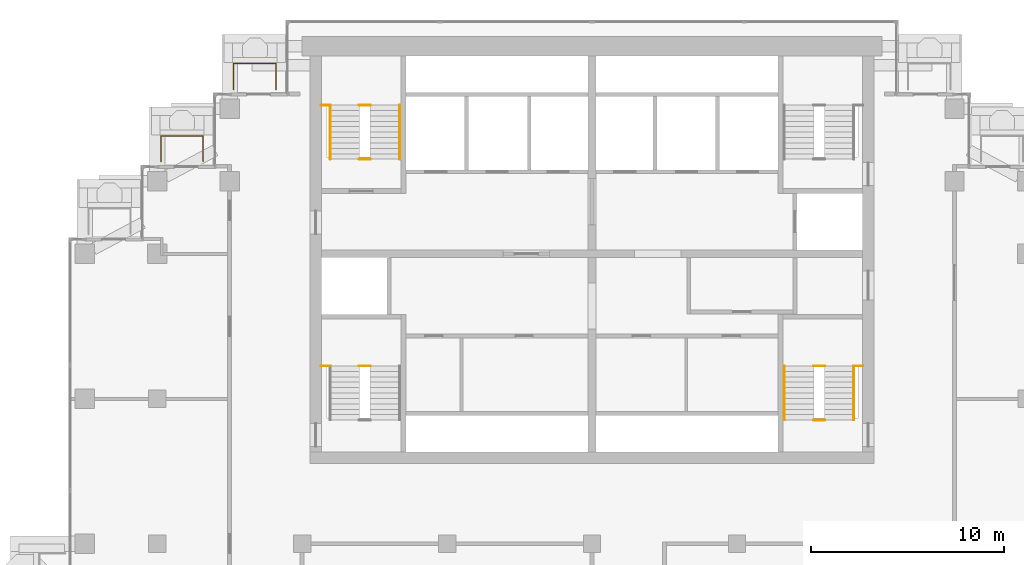
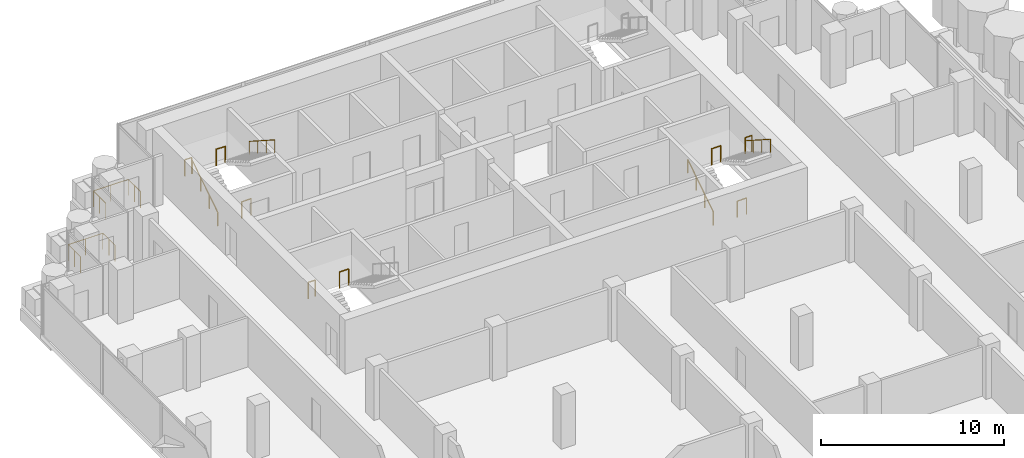
# One storey, part 16 of 18: 14 railings.
"""IFC4 building model written with IfcOpenShell, lengths in metres."""

from ifc_helpers import new_model, si_unit, direction, frame, origin, origin_2d, place, context, subcontext, project, spatial, circle, extrude, material, type_object, element, save


model = new_model("IFC4")

# Units and contexts
model_context = context("Model", 3, precision=1e-05, world=origin(), true_north=direction((0.0, 1.0)))
body_context = subcontext(model_context, "Body", "Model", "MODEL_VIEW")
ifc_project = project(units=[si_unit("LENGTHUNIT", "METRE"), si_unit("AREAUNIT", "SQUARE_METRE"), si_unit("VOLUMEUNIT", "CUBIC_METRE"), si_unit("PLANEANGLEUNIT", "RADIAN"), si_unit("MASSUNIT", "GRAM", prefix="KILO")], contexts=[model_context])

# Site, building, storey
site_placement = place(None, origin())
site = spatial("IfcSite", under=ifc_project, at=site_placement, CompositionType="ELEMENT")
building_placement = place(site_placement, origin())
building = spatial("IfcBuilding", under=site, at=building_placement, Name="Pilkhan Gate Tower", CompositionType="ELEMENT")
storey_placement = place(building_placement, frame((0.0, 0.0, 210.300048828125)))
storey = spatial("IfcBuildingStorey", under=building, at=storey_placement, Name="L54", CompositionType="ELEMENT", Elevation=210.300048828125)

# Railings
ifc_material_1 = material(Name="Pale anodised aluminium posts, laminated glass infill", Category="aluminium")
railing_type_1 = type_object("IfcRailingType", Name="Balcony guard G1", PredefinedType="BALUSTRADE", material=ifc_material_1)
railing_1_placement = place(storey_placement, frame((56.449951171875, 91.0, 0.0)))
element("IfcRailing", 1, at=railing_1_placement, inside=storey, type_object=railing_type_1, Name="Balcony guard L54 N", PredefinedType="BALUSTRADE", context=body_context, shape_type="SweptSolid", body=[
    extrude(circle(Radius=0.02392578125, at=origin_2d()), frame((0.0, 0.0, 1.076171875), z_axis=(0.0, 1.0, 0.0), x_axis=(-1.0, 0.0, 0.0)), (0.0, 0.0, 1.0), 1.35009765625),
    extrude(circle(Radius=0.02392578125, at=origin_2d()), frame((0.0, 1.35009765625, 1.076171875), z_axis=(1.0, 0.0, 0.0), x_axis=(0.0, 1.0, 0.0)), (0.0, 0.0, 1.0), 2.199951171875),
    extrude(circle(Radius=0.02392578125, at=origin_2d()), frame((2.199951171875, 1.35009765625, 1.076171875), z_axis=(0.0, -1.0, 0.0), x_axis=(1.0, 0.0, 0.0)), (0.0, 0.0, 1.0), 1.35009765625),
    extrude(circle(Radius=0.02099609375, at=origin_2d()), origin(), (0.0, 0.0, 1.0), 1.052001953125),
    extrude(circle(Radius=0.02099609375, at=origin_2d()), frame((0.0, 0.675048828125, 0.0)), (0.0, 0.0, 1.0), 1.052001953125),
    extrude(circle(Radius=0.02099609375, at=origin_2d()), frame((0.0, 1.35009765625, 0.0)), (0.0, 0.0, 1.0), 1.052001953125),
    extrude(circle(Radius=0.02099609375, at=origin_2d()), frame((1.10009765625, 1.35009765625, 0.0)), (0.0, 0.0, 1.0), 1.052001953125),
    extrude(circle(Radius=0.02099609375, at=origin_2d()), frame((2.199951171875, 1.35009765625, 0.0)), (0.0, 0.0, 1.0), 1.052001953125),
    extrude(circle(Radius=0.02099609375, at=origin_2d()), frame((2.199951171875, 0.675048828125, 0.0)), (0.0, 0.0, 1.0), 1.052001953125),
    extrude(circle(Radius=0.02099609375, at=origin_2d()), frame((2.199951171875, 0.0, 0.0)), (0.0, 0.0, 1.0), 1.052001953125),
])
railing_2_placement = place(storey_placement, frame((52.699951171875, 87.27001953125, 0.0)))
element("IfcRailing", 2, at=railing_2_placement, inside=storey, type_object=railing_type_1, Name="Balcony guard L54 N", PredefinedType="BALUSTRADE", context=body_context, shape_type="SweptSolid", body=[
    extrude(circle(Radius=0.02392578125, at=origin_2d()), frame((0.0, 0.0, 1.076171875), z_axis=(0.0, 1.0, 0.0), x_axis=(-1.0, 0.0, 0.0)), (0.0, 0.0, 1.0), 1.330078125),
    extrude(circle(Radius=0.02392578125, at=origin_2d()), frame((0.0, 1.330078125, 1.076171875), z_axis=(1.0, 0.0, 0.0), x_axis=(0.0, 1.0, 0.0)), (0.0, 0.0, 1.0), 2.179931640625),
    extrude(circle(Radius=0.02392578125, at=origin_2d()), frame((2.179931640625, 1.330078125, 1.076171875), z_axis=(0.0, -1.0, 0.0), x_axis=(1.0, 0.0, 0.0)), (0.0, 0.0, 1.0), 1.330078125),
    extrude(circle(Radius=0.02099609375, at=origin_2d()), origin(), (0.0, 0.0, 1.0), 1.052001953125),
    extrude(circle(Radius=0.02099609375, at=origin_2d()), frame((0.0, 0.6650390625, 0.0)), (0.0, 0.0, 1.0), 1.052001953125),
    extrude(circle(Radius=0.02099609375, at=origin_2d()), frame((0.0, 1.330078125, 0.0)), (0.0, 0.0, 1.0), 1.052001953125),
    extrude(circle(Radius=0.02099609375, at=origin_2d()), frame((1.08984375, 1.330078125, 0.0)), (0.0, 0.0, 1.0), 1.052001953125),
    extrude(circle(Radius=0.02099609375, at=origin_2d()), frame((2.179931640625, 1.330078125, 0.0)), (0.0, 0.0, 1.0), 1.052001953125),
    extrude(circle(Radius=0.02099609375, at=origin_2d()), frame((2.179931640625, 0.6650390625, 0.0)), (0.0, 0.0, 1.0), 1.052001953125),
    extrude(circle(Radius=0.02099609375, at=origin_2d()), frame((2.179931640625, 0.0, 0.0)), (0.0, 0.0, 1.0), 1.052001953125),
])
ifc_material_2 = material(Name="Black powder-coated steel tube", Category="steel")
railing_type_2 = type_object("IfcRailingType", Name="Stair handrail HR1", PredefinedType="HANDRAIL", material=ifc_material_2)
railing_3_placement = place(storey_placement, frame((84.949951171875, 73.89990234375, 0.0)))
element("IfcRailing", 3, at=railing_3_placement, inside=storey, type_object=railing_type_2, Name="Stair ST1 handrail L54", PredefinedType="HANDRAIL", context=body_context, shape_type="SweptSolid", body=[
    extrude(circle(Radius=0.02392578125, at=origin_2d()), frame((0.0, 0.0, 0.8759765625), z_axis=(0.0, 0.841176092368, 0.540761298198), x_axis=(-1.0, 0.0, 0.0)), (0.0, 0.0, 1.0), 3.32861328125),
    extrude(circle(Radius=0.02099609375, at=origin_2d()), origin(), (0.0, 0.0, 1.0), 0.851806640625),
    extrude(circle(Radius=0.02099609375, at=origin_2d()), frame((0.0, 0.933349609375, 0.60009765625)), (0.0, 0.0, 1.0), 0.851806640625),
    extrude(circle(Radius=0.02099609375, at=origin_2d()), frame((0.0, 1.86669921875, 1.199951171875)), (0.0, 0.0, 1.0), 0.851806640625),
    extrude(circle(Radius=0.02099609375, at=origin_2d()), frame((0.0, 2.800048828125, 1.800048828125)), (0.0, 0.0, 1.0), 0.851806640625),
])
railing_4_placement = place(storey_placement, frame((88.550048828125, 76.699951171875, 1.800048828125)))
element("IfcRailing", 4, at=railing_4_placement, inside=storey, type_object=railing_type_2, Name="Stair ST1 handrail L54", PredefinedType="HANDRAIL", context=body_context, shape_type="SweptSolid", body=[
    extrude(circle(Radius=0.02392578125, at=origin_2d()), frame((0.0, 0.0, 0.8759765625), z_axis=(0.0, -0.841209454229, 0.540709398952), x_axis=(1.0, 0.0, 0.0)), (0.0, 0.0, 1.0), 3.32861328125),
    extrude(circle(Radius=0.02099609375, at=origin_2d()), origin(), (0.0, 0.0, 1.0), 0.851806640625),
    extrude(circle(Radius=0.02099609375, at=origin_2d()), frame((0.0, -0.933349609375, 0.599853515625)), (0.0, 0.0, 1.0), 0.851806640625),
    extrude(circle(Radius=0.02099609375, at=origin_2d()), frame((0.0, -1.86669921875, 1.199951171875)), (0.0, 0.0, 1.0), 0.851806640625),
    extrude(circle(Radius=0.02099609375, at=origin_2d()), frame((0.0, -2.800048828125, 1.7998046875)), (0.0, 0.0, 1.0), 0.851806640625),
])
railing_5_placement = place(storey_placement, frame((61.449951171875, 87.39990234375, 0.0)))
element("IfcRailing", 5, at=railing_5_placement, inside=storey, type_object=railing_type_2, Name="Stair ST3 handrail L54", PredefinedType="HANDRAIL", context=body_context, shape_type="SweptSolid", body=[
    extrude(circle(Radius=0.02392578125, at=origin_2d()), frame((0.0, 0.0, 0.8759765625), z_axis=(0.0, 0.841176092368, 0.540761298198), x_axis=(-1.0, 0.0, 0.0)), (0.0, 0.0, 1.0), 3.32861328125),
    extrude(circle(Radius=0.02099609375, at=origin_2d()), origin(), (0.0, 0.0, 1.0), 0.851806640625),
    extrude(circle(Radius=0.02099609375, at=origin_2d()), frame((0.0, 0.933349609375, 0.60009765625)), (0.0, 0.0, 1.0), 0.851806640625),
    extrude(circle(Radius=0.02099609375, at=origin_2d()), frame((0.0, 1.86669921875, 1.199951171875)), (0.0, 0.0, 1.0), 0.851806640625),
    extrude(circle(Radius=0.02099609375, at=origin_2d()), frame((0.0, 2.800048828125, 1.800048828125)), (0.0, 0.0, 1.0), 0.851806640625),
])
railing_6_placement = place(storey_placement, frame((65.050048828125, 90.199951171875, 1.800048828125)))
element("IfcRailing", 6, at=railing_6_placement, inside=storey, type_object=railing_type_2, Name="Stair ST3 handrail L54", PredefinedType="HANDRAIL", context=body_context, shape_type="SweptSolid", body=[
    extrude(circle(Radius=0.02392578125, at=origin_2d()), frame((0.0, 0.0, 0.8759765625), z_axis=(0.0, -0.841209454229, 0.540709398952), x_axis=(1.0, 0.0, 0.0)), (0.0, 0.0, 1.0), 3.32861328125),
    extrude(circle(Radius=0.02099609375, at=origin_2d()), origin(), (0.0, 0.0, 1.0), 0.851806640625),
    extrude(circle(Radius=0.02099609375, at=origin_2d()), frame((0.0, -0.933349609375, 0.599853515625)), (0.0, 0.0, 1.0), 0.851806640625),
    extrude(circle(Radius=0.02099609375, at=origin_2d()), frame((0.0, -1.86669921875, 1.199951171875)), (0.0, 0.0, 1.0), 0.851806640625),
    extrude(circle(Radius=0.02099609375, at=origin_2d()), frame((0.0, -2.800048828125, 1.7998046875)), (0.0, 0.0, 1.0), 0.851806640625),
])
ifc_material_3 = material(Name="Black powder-coated steel balusters", Category="steel")
railing_type_3 = type_object("IfcRailingType", Name="Stair well guard G3", PredefinedType="GUARDRAIL", material=ifc_material_3)
railing_7_placement = place(storey_placement, frame((88.580078125, 76.699951171875, 1.800048828125)))
element("IfcRailing", 7, at=railing_7_placement, inside=storey, type_object=railing_type_3, Name="Stair ST1 well guard L54", PredefinedType="GUARDRAIL", context=body_context, shape_type="SweptSolid", body=[
    extrude(circle(Radius=0.02392578125, at=origin_2d()), frame((0.0, 0.0, 1.076171875), z_axis=(1.0, 0.0, 0.0), x_axis=(0.0, 1.0, 0.0)), (0.0, 0.0, 1.0), 0.43994140625),
    extrude(circle(Radius=0.02099609375, at=origin_2d()), origin(), (0.0, 0.0, 1.0), 1.052001953125),
    extrude(circle(Radius=0.02099609375, at=origin_2d()), frame((0.43994140625, 0.0, 0.0)), (0.0, 0.0, 1.0), 1.052001953125),
])
for number, where, name in (
    (8, (86.4599609375, 73.89990234375, 0.0), "Stair ST1 well guard L54"),
    (9, (86.4599609375, 76.699951171875, 1.800048828125), "Stair ST1 well guard L54"),
):
    element("IfcRailing", number, at=place(storey_placement, frame(where)), inside=storey, type_object=railing_type_3, Name=name, PredefinedType="GUARDRAIL", context=body_context, shape_type="SweptSolid", body=[
        extrude(circle(Radius=0.02392578125, at=origin_2d()), frame((0.0, 0.0, 1.076171875), z_axis=(1.0, 0.0, 0.0), x_axis=(0.0, 1.0, 0.0)), (0.0, 0.0, 1.0), 0.580078125),
        extrude(circle(Radius=0.02099609375, at=origin_2d()), origin(), (0.0, 0.0, 1.0), 1.052001953125),
        extrude(circle(Radius=0.02099609375, at=origin_2d()), frame((0.580078125, 0.0, 0.0)), (0.0, 0.0, 1.0), 1.052001953125),
    ])
railing_8_placement = place(storey_placement, frame((60.97998046875, 76.699951171875, 1.800048828125)))
element("IfcRailing", 10, at=railing_8_placement, inside=storey, type_object=railing_type_3, Name="Stair ST2 well guard L54", PredefinedType="GUARDRAIL", context=body_context, shape_type="SweptSolid", body=[
    extrude(circle(Radius=0.02392578125, at=origin_2d()), frame((0.0, 0.0, 1.076171875), z_axis=(1.0, 0.0, 0.0), x_axis=(0.0, 1.0, 0.0)), (0.0, 0.0, 1.0), 0.43994140625),
    extrude(circle(Radius=0.02099609375, at=origin_2d()), origin(), (0.0, 0.0, 1.0), 1.052001953125),
    extrude(circle(Radius=0.02099609375, at=origin_2d()), frame((0.43994140625, 0.0, 0.0)), (0.0, 0.0, 1.0), 1.052001953125),
])
railing_9_placement = place(storey_placement, frame((62.9599609375, 76.699951171875, 1.800048828125)))
element("IfcRailing", 11, at=railing_9_placement, inside=storey, type_object=railing_type_3, Name="Stair ST2 well guard L54", PredefinedType="GUARDRAIL", context=body_context, shape_type="SweptSolid", body=[
    extrude(circle(Radius=0.02392578125, at=origin_2d()), frame((0.0, 0.0, 1.076171875), z_axis=(1.0, 0.0, 0.0), x_axis=(0.0, 1.0, 0.0)), (0.0, 0.0, 1.0), 0.580078125),
    extrude(circle(Radius=0.02099609375, at=origin_2d()), origin(), (0.0, 0.0, 1.0), 1.052001953125),
    extrude(circle(Radius=0.02099609375, at=origin_2d()), frame((0.580078125, 0.0, 0.0)), (0.0, 0.0, 1.0), 1.052001953125),
])
railing_10_placement = place(storey_placement, frame((60.97998046875, 90.199951171875, 1.800048828125)))
element("IfcRailing", 12, at=railing_10_placement, inside=storey, type_object=railing_type_3, Name="Stair ST3 well guard L54", PredefinedType="GUARDRAIL", context=body_context, shape_type="SweptSolid", body=[
    extrude(circle(Radius=0.02392578125, at=origin_2d()), frame((0.0, 0.0, 1.076171875), z_axis=(1.0, 0.0, 0.0), x_axis=(0.0, 1.0, 0.0)), (0.0, 0.0, 1.0), 0.43994140625),
    extrude(circle(Radius=0.02099609375, at=origin_2d()), origin(), (0.0, 0.0, 1.0), 1.052001953125),
    extrude(circle(Radius=0.02099609375, at=origin_2d()), frame((0.43994140625, 0.0, 0.0)), (0.0, 0.0, 1.0), 1.052001953125),
])
for number, where, name in (
    (13, (62.9599609375, 87.39990234375, 0.0), "Stair ST3 well guard L54"),
    (14, (62.9599609375, 90.199951171875, 1.800048828125), "Stair ST3 well guard L54"),
):
    element("IfcRailing", number, at=place(storey_placement, frame(where)), inside=storey, type_object=railing_type_3, Name=name, PredefinedType="GUARDRAIL", context=body_context, shape_type="SweptSolid", body=[
        extrude(circle(Radius=0.02392578125, at=origin_2d()), frame((0.0, 0.0, 1.076171875), z_axis=(1.0, 0.0, 0.0), x_axis=(0.0, 1.0, 0.0)), (0.0, 0.0, 1.0), 0.580078125),
        extrude(circle(Radius=0.02099609375, at=origin_2d()), origin(), (0.0, 0.0, 1.0), 1.052001953125),
        extrude(circle(Radius=0.02099609375, at=origin_2d()), frame((0.580078125, 0.0, 0.0)), (0.0, 0.0, 1.0), 1.052001953125),
    ])

save(model, "model.ifc")
